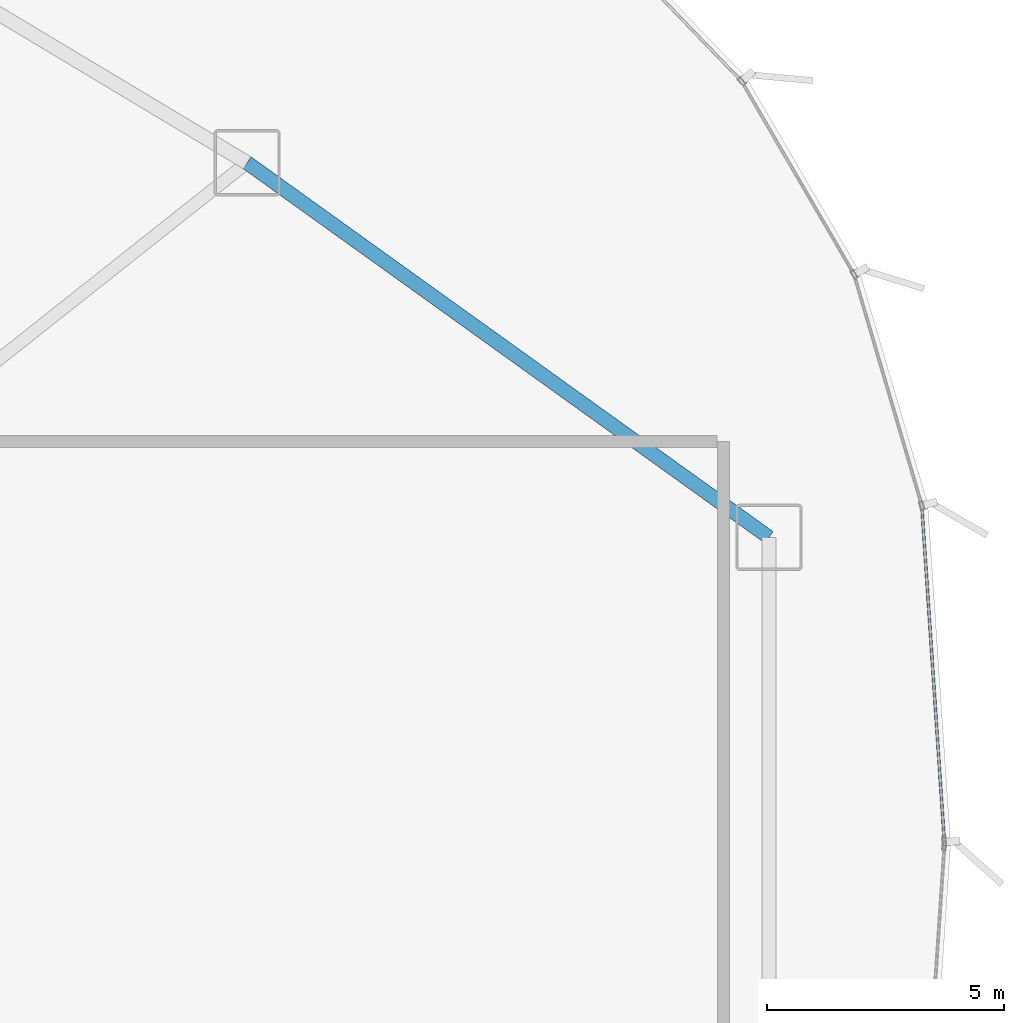
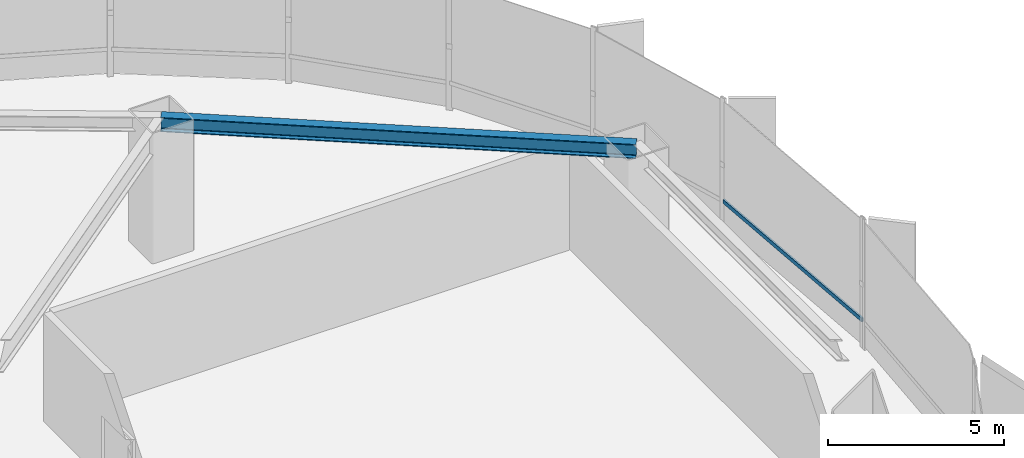
# One storey, part 19 of 33: 1 beam, 1 member, 1 element without a shape of its own.
"""IFC4 building model written with IfcOpenShell, lengths in metres."""

from ifc_helpers import new_model, si_unit, direction, frame, origin, origin_2d, place, context, subcontext, project, spatial, hollow_rectangle, i_section, extrude, source, transform, mapped, material, layer, layer_set, material_profile, profile_set, type_object, element, aggregate, save


model = new_model("IFC4")

# Units and contexts
model_context = context("Model", 3, precision=1e-05, world=origin(), true_north=direction((0.0, 1.0)))
body_context = subcontext(model_context, "Body", "Model", "MODEL_VIEW")
ifc_project = project(units=[si_unit("LENGTHUNIT", "METRE"), si_unit("AREAUNIT", "SQUARE_METRE"), si_unit("VOLUMEUNIT", "CUBIC_METRE"), si_unit("PLANEANGLEUNIT", "RADIAN"), si_unit("MASSUNIT", "GRAM", prefix="KILO"), si_unit("THERMODYNAMICTEMPERATUREUNIT", "KELVIN")], contexts=[model_context])

# Site, building, storey
site_placement = place(None, origin())
site = spatial("IfcSite", under=ifc_project, at=site_placement, CompositionType="ELEMENT")
building_placement = place(site_placement, origin())
building = spatial("IfcBuilding", under=site, at=building_placement, Name="Kethvar Cultural Tower", CompositionType="ELEMENT")
storey_placement = place(building_placement, frame((0.0, 0.0, 10.0)))
storey = spatial("IfcBuildingStorey", under=building, at=storey_placement, Name="L02", CompositionType="ELEMENT", Elevation=10.0)

# Beam
ifc_material_1 = material(Name="Steel S355J2", Category="steel")
ifc_material_profile_1 = material_profile(ifc_material_1, i_section(OverallWidth=0.300048828125, OverallDepth=0.5, WebThickness=0.014404296875, FlangeThickness=0.028076171875, FilletRadius=0.027099609375, at=origin_2d()), Name="Steel S355J2 — HEB500")
ifc_profile_set_1 = profile_set([ifc_material_profile_1], Name="Steel S355J2 — HEB500")
beam_type = type_object("IfcBeamType", Name="BM-SP500", PredefinedType="SPANDREL", material=ifc_profile_set_1)
shared_shape_1 = source(origin(), body_context, "Body", "SweptSolid", [
    extrude(i_section(OverallWidth=0.300048828125, OverallDepth=0.5, WebThickness=0.014404296875, FlangeThickness=0.028076171875, FilletRadius=0.027099609375, at=origin_2d()), origin(), (0.0, 0.0, 1.0), 13.5712890625),
])
beam_placement = place(storey_placement, frame((79.362060546875, 34.277099609375, 4.278076171875), z_axis=(-0.812419874207, 0.583072849645, 0.0), x_axis=(-0.583072849645, -0.812419874207, 0.0)))
element("IfcBeam", 1, at=beam_placement, inside=storey, type_object=beam_type, Name="L02 Podium Ring Beam 01", PredefinedType="SPANDREL", context=body_context, shape_type="MappedRepresentation", body=[
    mapped(shared_shape_1, transform((0.0, 0.0, 0.0), scale=1.0)),
])

# Curtain wall, member
ifc_material_2 = material(Name="Aluminium 6063-T6", Category="aluminium")
ifc_layer = layer(ifc_material_2, 0.179931640625, Name="Aluminium 6063-T6", Category="aluminium")
ifc_layer_set = layer_set([ifc_layer], Name="Aluminium 6063-T6 (180 mm)")
curtain_wall_type = type_object("IfcCurtainWallType", Name="CW-SYS-01-POD", PredefinedType="NOTDEFINED", material=ifc_layer_set)
curtain_wall_placement = place(storey_placement, origin())
curtain_wall = element("IfcCurtainWall", 2, at=curtain_wall_placement, inside=storey, type_object=curtain_wall_type, Name="L02 Curtain Wall Run 01", PredefinedType="NOTDEFINED")
ifc_material_profile_2 = material_profile(ifc_material_2, hollow_rectangle(XDim=0.06005859375, YDim=0.139892578125, WallThickness=0.0048828125, at=origin_2d()), Name="Aluminium 6063-T6 — RHS140x60x5")
ifc_profile_set_2 = profile_set([ifc_material_profile_2], Name="Aluminium 6063-T6 — RHS140x60x5")
member_type = type_object("IfcMemberType", Name="CW-SYS-01-POD-TRN", PredefinedType="USERDEFINED", material=ifc_profile_set_2)
shared_shape_2 = source(origin(), body_context, "Body", "SweptSolid", [
    extrude(hollow_rectangle(XDim=0.06005859375, YDim=0.139892578125, WallThickness=0.0048828125, at=origin_2d()), origin(), (0.0, 0.0, 1.0), 7.086669921875),
])
member_placement = place(storey_placement, frame((83.066650390625, 27.84521484375, 0.949951171875), z_axis=(-0.067040329347, 0.99775026647, 0.0), x_axis=(-0.99775026647, -0.067040329347, 0.0)))
member = element("IfcMember", 3, at=member_placement, type_object=member_type, Name="CW-L02-R01 Transom 1", ObjectType="TRANSOM", PredefinedType="USERDEFINED", context=body_context, shape_type="MappedRepresentation", body=[
    mapped(shared_shape_2, transform((0.0, 0.0, 0.0), scale=1.0)),
])
aggregate(curtain_wall, [member])

save(model, "model.ifc")
